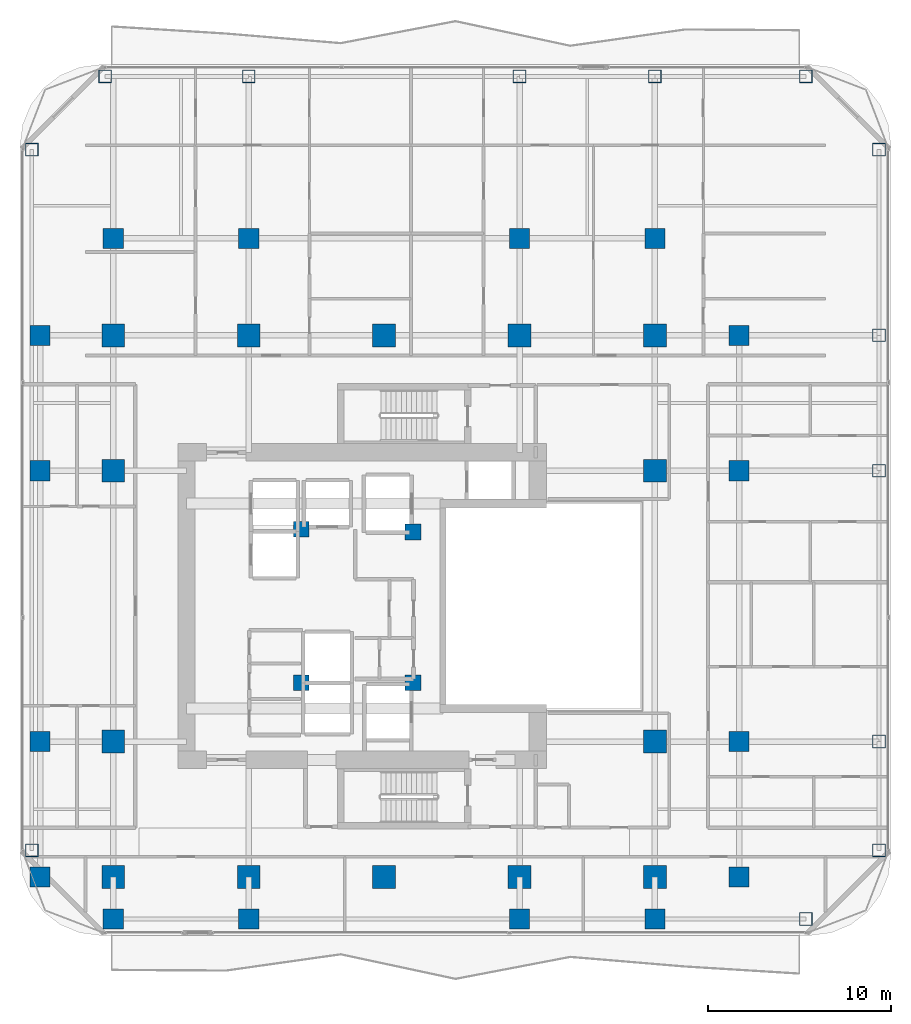
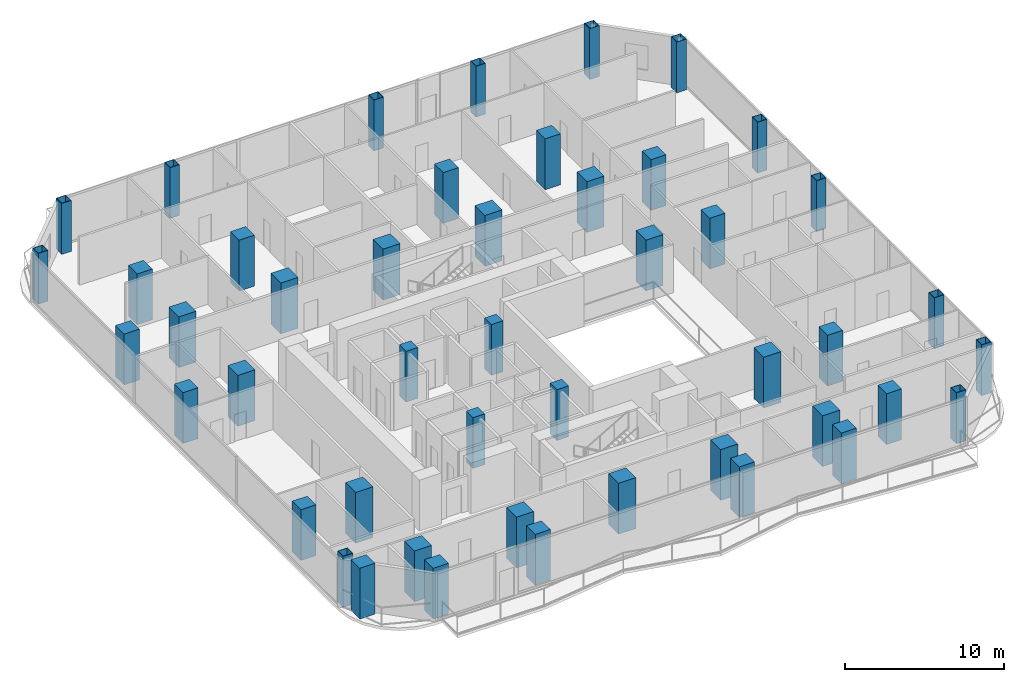
# One storey, part 1 of 27: 47 columns.
"""IFC4 building model written with IfcOpenShell, lengths in metres."""

from ifc_helpers import new_model, si_unit, direction, frame, origin, origin_2d, place, context, subcontext, project, spatial, rectangle, hollow_rectangle, extrude, material, material_profile, profile_set, type_object, element, save


model = new_model("IFC4")

# Units and contexts
model_context = context("Model", 3, precision=1e-05, world=origin(), true_north=direction((0.0, 1.0)))
body_context = subcontext(model_context, "Body", "Model", "MODEL_VIEW")
ifc_project = project(units=[si_unit("LENGTHUNIT", "METRE"), si_unit("AREAUNIT", "SQUARE_METRE"), si_unit("VOLUMEUNIT", "CUBIC_METRE"), si_unit("PLANEANGLEUNIT", "RADIAN"), si_unit("MASSUNIT", "GRAM", prefix="KILO")], contexts=[model_context])

# Site, building, storey
site_placement = place(None, origin())
site = spatial("IfcSite", under=ifc_project, at=site_placement, CompositionType="ELEMENT")
building_placement = place(site_placement, origin())
building = spatial("IfcBuilding", under=site, at=building_placement, Name="Khorvyn Point Tower", CompositionType="ELEMENT")
storey_placement = place(building_placement, frame((0.0, 0.0, 125.10009765625)))
storey = spatial("IfcBuildingStorey", under=building, at=storey_placement, Name="L31", CompositionType="ELEMENT", Elevation=125.10009765625)

# Columns
ifc_material_1 = material(Name="Concrete C40/50", Category="concrete")
ifc_material_profile_1 = material_profile(ifc_material_1, rectangle(XDim=0.85009765625, YDim=0.85009765625, at=origin_2d()))
ifc_profile_set_1 = profile_set([ifc_material_profile_1], Name="Concrete C40/50 RC850x850")
column_type_1 = type_object("IfcColumnType", Name="Concrete C40/50 Column RC850x850", PredefinedType="COLUMN", material=ifc_profile_set_1)
for number, where, z_axis, x_axis, name in (
    (1, (-4.52001953125, -4.199951171875, 0.0), (0.0, 0.0, 1.0), (1.0, 0.0, 0.0), "L31 Crown Core Spine Column 1"),
    (2, (1.580078125, -4.179931640625, 0.0), (0.0, 0.0, 1.0), (1.0, 0.0, 0.0), "L31 Crown Core Spine Column 2"),
    (3, (1.580078125, 4.050048828125, 0.0), (0.0, 0.0, 1.0), (1.0, 0.0, 0.0), "L31 Crown Core Spine Column 3"),
    (4, (-4.52001953125, 4.199951171875, 0.0), (0.0, 0.0, 1.0), (1.0, 0.0, 0.0), "L31 Crown Core Spine Column 4"),
):
    element("IfcColumn", number, at=place(storey_placement, frame(where, z_axis=z_axis, x_axis=x_axis)), inside=storey, type_object=column_type_1, Name=name, PredefinedType="COLUMN", context=body_context, shape_type="SweptSolid", body=[
        extrude(rectangle(XDim=0.85009765625, YDim=0.85009765625, at=origin_2d()), origin(), (0.0, 0.0, 1.0), 3.89990234375),
    ])
ifc_material_2 = material(Name="Concrete C45/55", Category="concrete")
ifc_material_profile_2 = material_profile(ifc_material_2, rectangle(XDim=1.10009765625, YDim=1.10009765625, at=origin_2d()))
ifc_profile_set_2 = profile_set([ifc_material_profile_2], Name="Concrete C45/55 RC1100x1100")
column_type_2 = type_object("IfcColumnType", Name="Concrete C45/55 Column RC1100x1100", PredefinedType="COLUMN", material=ifc_profile_set_2)
for number, where, z_axis, x_axis, name in (
    (5, (-18.800048828125, -14.800048828125, 0.0), (0.0, 0.0, 1.0), (1.0, 0.0, 0.0), "L31 Intermediate Column ICW--14"),
    (6, (-18.800048828125, -7.39990234375, 0.0), (0.0, 0.0, 1.0), (1.0, 0.0, 0.0), "L31 Intermediate Column ICW--7"),
    (7, (-18.800048828125, 7.39990234375, 0.0), (0.0, 0.0, 1.0), (1.0, 0.0, 0.0), "L31 Intermediate Column ICW-7"),
    (8, (-18.800048828125, 14.800048828125, 0.0), (0.0, 0.0, 1.0), (1.0, 0.0, 0.0), "L31 Intermediate Column ICW-14"),
    (9, (19.39990234375, -14.800048828125, 0.0), (0.0, 0.0, 1.0), (1.0, 0.0, 0.0), "L31 Intermediate Column ICE--14"),
    (10, (19.39990234375, -7.39990234375, 0.0), (0.0, 0.0, 1.0), (1.0, 0.0, 0.0), "L31 Intermediate Column ICE--7"),
    (11, (19.39990234375, 7.39990234375, 0.0), (0.0, 0.0, 1.0), (1.0, 0.0, 0.0), "L31 Intermediate Column ICE-7"),
    (12, (19.39990234375, 14.800048828125, 0.0), (0.0, 0.0, 1.0), (1.0, 0.0, 0.0), "L31 Intermediate Column ICE-14"),
    (13, (-14.800048828125, -17.10009765625, 0.0), (0.0, 0.0, 1.0), (1.0, 0.0, 0.0), "L31 Intermediate Column ICS--14"),
    (14, (-7.39990234375, -17.10009765625, 0.0), (0.0, 0.0, 1.0), (1.0, 0.0, 0.0), "L31 Intermediate Column ICS--7"),
    (15, (7.39990234375, -17.10009765625, 0.0), (0.0, 0.0, 1.0), (1.0, 0.0, 0.0), "L31 Intermediate Column ICS-7"),
    (16, (14.800048828125, -17.10009765625, 0.0), (0.0, 0.0, 1.0), (1.0, 0.0, 0.0), "L31 Intermediate Column ICS-14"),
    (17, (-14.800048828125, 20.10009765625, 0.0), (0.0, 0.0, 1.0), (1.0, 0.0, 0.0), "L31 Intermediate Column ICN--14"),
    (18, (-7.39990234375, 20.10009765625, 0.0), (0.0, 0.0, 1.0), (1.0, 0.0, 0.0), "L31 Intermediate Column ICN--7"),
    (19, (7.39990234375, 20.10009765625, 0.0), (0.0, 0.0, 1.0), (1.0, 0.0, 0.0), "L31 Intermediate Column ICN-7"),
    (20, (14.800048828125, 20.10009765625, 0.0), (0.0, 0.0, 1.0), (1.0, 0.0, 0.0), "L31 Intermediate Column ICN-14"),
):
    element("IfcColumn", number, at=place(storey_placement, frame(where, z_axis=z_axis, x_axis=x_axis)), inside=storey, type_object=column_type_2, Name=name, PredefinedType="COLUMN", context=body_context, shape_type="SweptSolid", body=[
        extrude(rectangle(XDim=1.10009765625, YDim=1.10009765625, at=origin_2d()), origin(), (0.0, 0.0, 1.0), 3.89990234375),
    ])
ifc_material_3 = material(Name="Concrete C50/60", Category="concrete")
ifc_material_profile_3 = material_profile(ifc_material_3, rectangle(XDim=1.25, YDim=1.25, at=origin_2d()))
ifc_profile_set_3 = profile_set([ifc_material_profile_3], Name="Concrete C50/60 RC1250x1250")
column_type_3 = type_object("IfcColumnType", Name="Concrete C50/60 Column RC1250x1250", PredefinedType="COLUMN", material=ifc_profile_set_3)
for number, where, z_axis, x_axis, name in (
    (21, (-14.800048828125, -14.800048828125, 0.0), (0.0, 0.0, 1.0), (1.0, 0.0, 0.0), "L31 Mega-Column MC-01"),
    (22, (-7.39990234375, -14.800048828125, 0.0), (0.0, 0.0, 1.0), (1.0, 0.0, 0.0), "L31 Mega-Column MC-02"),
    (23, (0.0, -14.800048828125, 0.0), (0.0, 0.0, 1.0), (1.0, 0.0, 0.0), "L31 Mega-Column MC-03"),
    (24, (7.39990234375, -14.800048828125, 0.0), (0.0, 0.0, 1.0), (1.0, 0.0, 0.0), "L31 Mega-Column MC-04"),
    (25, (14.800048828125, -14.800048828125, 0.0), (0.0, 0.0, 1.0), (1.0, 0.0, 0.0), "L31 Mega-Column MC-05"),
    (26, (-14.800048828125, 14.800048828125, 0.0), (0.0, 0.0, 1.0), (1.0, 0.0, 0.0), "L31 Mega-Column MC-06"),
    (27, (-7.39990234375, 14.800048828125, 0.0), (0.0, 0.0, 1.0), (1.0, 0.0, 0.0), "L31 Mega-Column MC-07"),
    (28, (0.0, 14.800048828125, 0.0), (0.0, 0.0, 1.0), (1.0, 0.0, 0.0), "L31 Mega-Column MC-08"),
    (29, (7.39990234375, 14.800048828125, 0.0), (0.0, 0.0, 1.0), (1.0, 0.0, 0.0), "L31 Mega-Column MC-09"),
    (30, (14.800048828125, 14.800048828125, 0.0), (0.0, 0.0, 1.0), (1.0, 0.0, 0.0), "L31 Mega-Column MC-10"),
    (31, (-14.800048828125, -7.39990234375, 0.0), (0.0, 0.0, 1.0), (1.0, 0.0, 0.0), "L31 Mega-Column MC-11"),
    (32, (-14.800048828125, 7.39990234375, 0.0), (0.0, 0.0, 1.0), (1.0, 0.0, 0.0), "L31 Mega-Column MC-12"),
    (33, (14.800048828125, -7.39990234375, 0.0), (0.0, 0.0, 1.0), (1.0, 0.0, 0.0), "L31 Mega-Column MC-13"),
    (34, (14.800048828125, 7.39990234375, 0.0), (0.0, 0.0, 1.0), (1.0, 0.0, 0.0), "L31 Mega-Column MC-14"),
):
    element("IfcColumn", number, at=place(storey_placement, frame(where, z_axis=z_axis, x_axis=x_axis)), inside=storey, type_object=column_type_3, Name=name, PredefinedType="COLUMN", context=body_context, shape_type="SweptSolid", body=[
        extrude(rectangle(XDim=1.25, YDim=1.25, at=origin_2d()), origin(), (0.0, 0.0, 1.0), 3.89990234375),
    ])
ifc_material_4 = material(Name="Steel S450", Category="steel")
ifc_material_profile_4 = material_profile(ifc_material_4, hollow_rectangle(XDim=0.699951171875, YDim=0.699951171875, WallThickness=0.031982421875, at=origin_2d()))
ifc_profile_set_4 = profile_set([ifc_material_profile_4], Name="Steel S450 BOX700x700x32")
column_type_4 = type_object("IfcColumnType", Name="Steel S450 Structural Column BOX700x700x32", PredefinedType="COLUMN", material=ifc_profile_set_4)
for number, where, z_axis, x_axis, name in (
    (35, (23.050048828125, -17.10009765625, 0.0), (0.0, 0.0, 1.0), (1.0, 0.0, 0.0), "L31 Perimeter Tube Column TC-01"),
    (36, (-15.25, 28.949951171875, 0.0), (0.0, 0.0, 1.0), (1.0, 0.0, 0.0), "L31 Perimeter Tube Column TC-02"),
    (37, (23.050048828125, 28.949951171875, 0.0), (0.0, 0.0, 1.0), (1.0, 0.0, 0.0), "L31 Perimeter Tube Column TC-03"),
    (38, (-19.25, -13.35009765625, 0.0), (0.0, 0.0, 1.0), (1.0, 0.0, 0.0), "L31 Perimeter Tube Column TC-04"),
    (39, (-19.25, 24.949951171875, 0.0), (0.0, 0.0, 1.0), (1.0, 0.0, 0.0), "L31 Perimeter Tube Column TC-05"),
    (40, (27.050048828125, -13.35009765625, 0.0), (0.0, 0.0, 1.0), (1.0, 0.0, 0.0), "L31 Perimeter Tube Column TC-06"),
    (41, (27.050048828125, 24.949951171875, 0.0), (0.0, 0.0, 1.0), (1.0, 0.0, 0.0), "L31 Perimeter Tube Column TC-07"),
    (42, (-7.39990234375, 28.949951171875, 0.0), (0.0, 0.0, 1.0), (1.0, 0.0, 0.0), "L31 Perimeter Tube Column TC-08"),
    (43, (7.39990234375, 28.949951171875, 0.0), (0.0, 0.0, 1.0), (1.0, 0.0, 0.0), "L31 Perimeter Tube Column TC-09"),
    (44, (14.800048828125, 28.949951171875, 0.0), (0.0, 0.0, 1.0), (1.0, 0.0, 0.0), "L31 Perimeter Tube Column TC-10"),
    (45, (27.050048828125, -7.39990234375, 0.0), (0.0, 0.0, 1.0), (1.0, 0.0, 0.0), "L31 Perimeter Tube Column TC-11"),
    (46, (27.050048828125, 7.39990234375, 0.0), (0.0, 0.0, 1.0), (1.0, 0.0, 0.0), "L31 Perimeter Tube Column TC-12"),
    (47, (27.050048828125, 14.800048828125, 0.0), (0.0, 0.0, 1.0), (1.0, 0.0, 0.0), "L31 Perimeter Tube Column TC-13"),
):
    element("IfcColumn", number, at=place(storey_placement, frame(where, z_axis=z_axis, x_axis=x_axis)), inside=storey, type_object=column_type_4, Name=name, PredefinedType="COLUMN", context=body_context, shape_type="SweptSolid", body=[
        extrude(hollow_rectangle(XDim=0.699951171875, YDim=0.699951171875, WallThickness=0.031982421875, at=origin_2d()), origin(), (0.0, 0.0, 1.0), 3.89990234375),
    ])

save(model, "model.ifc")
